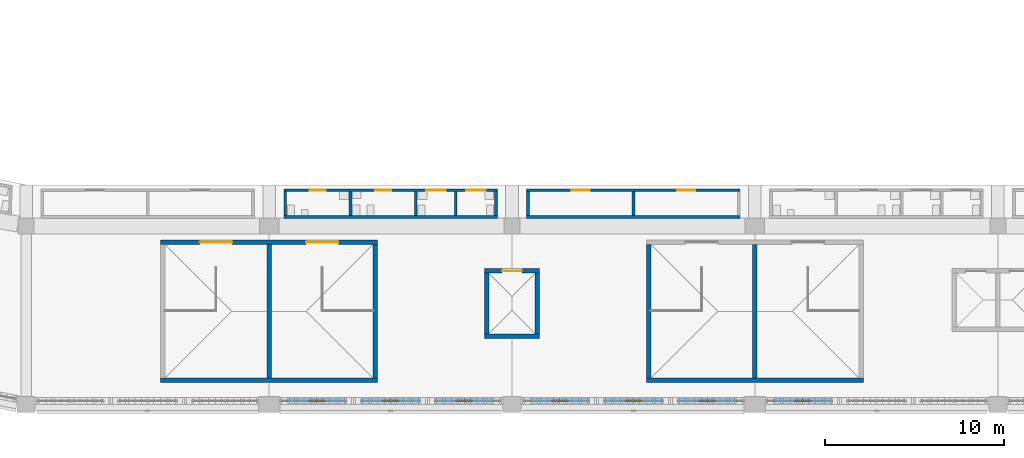
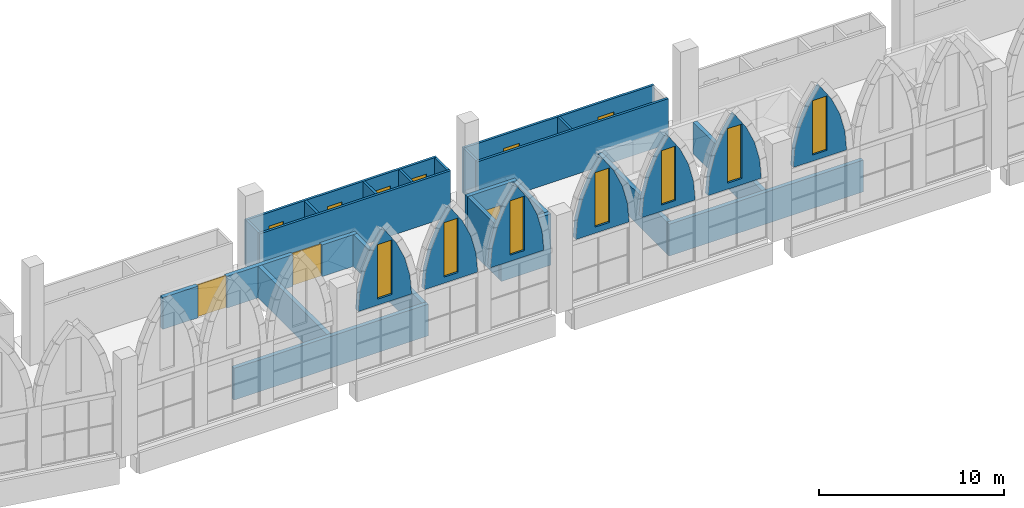
# One storey, part 67 of 130: 29 walls, 9 doors, 7 windows, 16 openings.
"""IFC4 building model written with IfcOpenShell, lengths in metres."""

from ifc_helpers import new_model, si_unit, direction, frame, frame_2d, origin, place, context, subcontext, project, spatial, polyline, rectangle, outline, extrude, material, layer, layer_set, type_object, element, fill, save


model = new_model("IFC4")

# Units and contexts
model_context = context("Model", 3, precision=1e-05, world=origin(), true_north=direction((0.0, 1.0)))
body_context = subcontext(model_context, "Body", "Model", "MODEL_VIEW")
ifc_project = project(units=[si_unit("LENGTHUNIT", "METRE"), si_unit("AREAUNIT", "SQUARE_METRE"), si_unit("VOLUMEUNIT", "CUBIC_METRE"), si_unit("PLANEANGLEUNIT", "RADIAN"), si_unit("MASSUNIT", "GRAM", prefix="KILO")], contexts=[model_context])

# Site, building, storey
site_placement = place(None, origin())
site = spatial("IfcSite", under=ifc_project, at=site_placement, CompositionType="ELEMENT")
building_placement = place(site_placement, origin())
building = spatial("IfcBuilding", under=site, at=building_placement, Name="Ogive Plaza Stadium", CompositionType="ELEMENT")
storey_placement = place(building_placement, frame((0.0, 0.0, 22.5)))
storey = spatial("IfcBuildingStorey", under=building, at=storey_placement, Name="L05", CompositionType="ELEMENT", Elevation=22.5)

# Wall, openings, doors
ifc_material_1 = material(Name="Masonry blockwork", Category="masonry")
ifc_layer_1 = layer(ifc_material_1, 0.14990234375)
ifc_layer_set_1 = layer_set([ifc_layer_1], Name="Blockwork wall 150")
wall_type_1 = type_object("IfcWallType", Name="Blockwork wall 150", PredefinedType="SOLIDWALL", material=ifc_layer_set_1)
wall_1_placement = place(storey_placement, frame((5.97509765625, -90.5, 0.0), z_axis=(0.0, 0.0, 1.0), x_axis=(-1.0, 0.0, 0.0)))
wall_1 = element("IfcWall", 1, at=wall_1_placement, inside=storey, type_object=wall_type_1, Name="Wall L05 B14", PredefinedType="SOLIDWALL", context=body_context, shape_type="SweptSolid", body=[
    extrude(rectangle(XDim=11.9501953125, YDim=0.14990234375, at=frame_2d((5.97509765625, 0.0))), origin(), (0.0, 0.0, 1.0), 3.0),
])
opening_1_placement = place(wall_1_placement, frame((2.52490234375, 0.0, 0.0)))
opening_1 = element("IfcOpeningElement", 2, at=opening_1_placement, cuts=wall_1, Name="Opening D0957", PredefinedType="OPENING", context=body_context, shape_type="SweptSolid", body=[
    extrude(rectangle(XDim=1.0, YDim=2.10009765625, at=frame_2d((0.5, 1.050048828125))), frame((0.0, 0.074951171875, 0.0), z_axis=(0.0, -1.0, 0.0), x_axis=(1.0, 0.0, 0.0)), (0.0, 0.0, 1.0), 0.14990234375),
])
opening_2_placement = place(wall_1_placement, frame((8.425048828125, 0.0, 0.0)))
opening_2 = element("IfcOpeningElement", 3, at=opening_2_placement, cuts=wall_1, Name="Opening D0958", PredefinedType="OPENING", context=body_context, shape_type="SweptSolid", body=[
    extrude(rectangle(XDim=1.0, YDim=2.10009765625, at=frame_2d((0.5, 1.050048828125))), frame((0.0, 0.074951171875, 0.0), z_axis=(0.0, -1.0, 0.0), x_axis=(1.0, 0.0, 0.0)), (0.0, 0.0, 1.0), 0.14990234375),
])
ifc_material_2 = material(Name="Steel ASTM A572 Grade 50", Category="steel")
door_type_1 = type_object("IfcDoorType", Name="Door 1000 x 2100", OperationType="SINGLE_SWING_LEFT", PredefinedType="DOOR", material=ifc_material_2)
door_1_placement = place(opening_1_placement, origin())
door_1 = element("IfcDoor", 4, at=door_1_placement, inside=storey, type_object=door_type_1, Name="Concession Stand B14 door", OperationType="SINGLE_SWING_LEFT", OverallHeight=2.10009765625, OverallWidth=1.0, PredefinedType="DOOR", context=body_context, shape_type="SweptSolid", body=[
    extrude(rectangle(XDim=1.0, YDim=2.10009765625, at=frame_2d((0.5, 1.050048828125))), frame((0.0, 0.02490234375, 0.0), z_axis=(0.0, -1.0, 0.0), x_axis=(1.0, 0.0, 0.0)), (0.0, 0.0, 1.0), 0.050048828125),
])
fill(opening_1, door_1)
door_2_placement = place(opening_2_placement, origin())
door_2 = element("IfcDoor", 5, at=door_2_placement, inside=storey, type_object=door_type_1, Name="Concession Stand B14 door", OperationType="SINGLE_SWING_RIGHT", OverallHeight=2.10009765625, OverallWidth=1.0, PredefinedType="DOOR", context=body_context, shape_type="SweptSolid", body=[
    extrude(rectangle(XDim=1.0, YDim=2.10009765625, at=frame_2d((0.5, 1.050048828125))), frame((0.0, 0.02490234375, 0.0), z_axis=(0.0, -1.0, 0.0), x_axis=(1.0, 0.0, 0.0)), (0.0, 0.0, 1.0), 0.050048828125),
])
fill(opening_2, door_2)

# Walls
wall_2_placement = place(storey_placement, frame((5.97509765625, -92.0, 0.0), z_axis=(0.0, 0.0, 1.0), x_axis=(-1.0, 0.0, 0.0)))
element("IfcWall", 6, at=wall_2_placement, inside=storey, type_object=wall_type_1, Name="Wall L05 B14", PredefinedType="SOLIDWALL", context=body_context, shape_type="SweptSolid", body=[
    extrude(rectangle(XDim=11.9501953125, YDim=0.14990234375, at=frame_2d((5.97509765625, 0.0))), origin(), (0.0, 0.0, 1.0), 3.0),
])
for number, where, z_axis, x_axis, name in (
    (7, (0.0, -90.574951171875, 0.0), (0.0, 0.0, 1.0), (0.0, -1.0, 0.0), "Wall L05 B14"),
    (8, (-5.89990234375, -90.574951171875, 0.0), (0.0, 0.0, 1.0), (0.0, -1.0, 0.0), "Wall L05 B14"),
):
    element("IfcWall", number, at=place(storey_placement, frame(where, z_axis=z_axis, x_axis=x_axis)), inside=storey, type_object=wall_type_1, Name=name, PredefinedType="SOLIDWALL", context=body_context, shape_type="SweptSolid", body=[
        extrude(rectangle(XDim=1.35009765625, YDim=0.14990234375, at=frame_2d((0.675048828125, 0.0))), origin(), (0.0, 0.0, 1.0), 3.0),
    ])
ifc_material_3 = material(Name="Concrete C40/50", Category="concrete")
ifc_layer_2 = layer(ifc_material_3, 0.25)
ifc_layer_set_2 = layer_set([ifc_layer_2], Name="Concrete C40/50")
wall_type_2 = type_object("IfcWallType", Name="Core wall 250", PredefinedType="SHEAR", material=ifc_layer_set_2)
wall_3_placement = place(storey_placement, frame((0.72509765625, -101.135009765625, 0.0), z_axis=(0.0, 0.0, 1.0), x_axis=(1.0, 0.0, 0.0)))
element("IfcWall", 9, at=wall_3_placement, inside=storey, type_object=wall_type_2, Name="Stair core R14 outer wall", PredefinedType="SHEAR", context=body_context, shape_type="SweptSolid", body=[
    extrude(rectangle(XDim=12.14990234375, YDim=0.25, at=frame_2d((6.074951171875, 0.0))), origin(), (0.0, 0.0, 1.0), 2.10009765625),
])
for number, where, z_axis, x_axis, name in (
    (10, (0.85009765625, -93.550048828125, 0.0), (0.0, 0.0, 1.0), (0.0, -1.0, 0.0), "Stair core R14 side wall"),
    (11, (6.800048828125, -93.550048828125, 0.0), (0.0, 0.0, 1.0), (0.0, -1.0, 0.0), "Stair core R14 centre wall"),
):
    element("IfcWall", number, at=place(storey_placement, frame(where, z_axis=z_axis, x_axis=x_axis)), inside=storey, type_object=wall_type_2, Name=name, PredefinedType="SHEAR", context=body_context, shape_type="SweptSolid", body=[
        extrude(rectangle(XDim=7.4599609375, YDim=0.25, at=frame_2d((3.72998046875, 0.0))), origin(), (0.0, 0.0, 1.0), 2.10009765625),
    ])

# Wall, openings, doors
wall_4_placement = place(storey_placement, frame((-26.47509765625, -93.425048828125, 0.0), z_axis=(0.0, 0.0, 1.0), x_axis=(1.0, 0.0, 0.0)))
wall_4 = element("IfcWall", 12, at=wall_4_placement, inside=storey, type_object=wall_type_2, Name="Stair core R16 inner wall", PredefinedType="SHEAR", context=body_context, shape_type="SweptSolid", body=[
    extrude(rectangle(XDim=12.150146484375, YDim=0.25, at=frame_2d((6.0751953125, 0.0))), origin(), (0.0, 0.0, 1.0), 2.10009765625),
])
opening_3_placement = place(wall_4_placement, frame((2.199951171875, 0.0, 0.0)))
opening_3 = element("IfcOpeningElement", 13, at=opening_3_placement, cuts=wall_4, Name="Opening D0143", PredefinedType="OPENING", context=body_context, shape_type="SweptSolid", body=[
    extrude(rectangle(XDim=1.800048828125, YDim=2.10009765625, at=frame_2d((0.89990234375, 1.050048828125))), frame((0.0, 0.125, 0.0), z_axis=(0.0, -1.0, 0.0), x_axis=(1.0, 0.0, 0.0)), (0.0, 0.0, 1.0), 0.25),
])
opening_4_placement = place(wall_4_placement, frame((8.14990234375, 0.0, 0.0)))
opening_4 = element("IfcOpeningElement", 14, at=opening_4_placement, cuts=wall_4, Name="Opening D0144", PredefinedType="OPENING", context=body_context, shape_type="SweptSolid", body=[
    extrude(rectangle(XDim=1.800048828125, YDim=2.10009765625, at=frame_2d((0.89990234375, 1.050048828125))), frame((0.0, 0.125, 0.0), z_axis=(0.0, -1.0, 0.0), x_axis=(1.0, 0.0, 0.0)), (0.0, 0.0, 1.0), 0.25),
])
ifc_material_4 = material(Name="Steel ASTM A572 Grade 50", Category="steel")
door_type_2 = type_object("IfcDoorType", Name="Fire door FD90 pair 1800 x 2100", OperationType="DOUBLE_DOOR_SINGLE_SWING", PredefinedType="DOOR", material=ifc_material_4)
door_3_placement = place(opening_3_placement, origin())
door_3 = element("IfcDoor", 15, at=door_3_placement, inside=storey, type_object=door_type_2, Name="Exit stair R16A door L05", OperationType="DOUBLE_DOOR_SINGLE_SWING", OverallHeight=2.10009765625, OverallWidth=1.800048828125, PredefinedType="DOOR", context=body_context, shape_type="SweptSolid", body=[
    extrude(rectangle(XDim=1.800048828125, YDim=2.10009765625, at=frame_2d((0.89990234375, 1.050048828125))), frame((0.0, 0.02490234375, 0.0), z_axis=(0.0, -1.0, 0.0), x_axis=(1.0, 0.0, 0.0)), (0.0, 0.0, 1.0), 0.050048828125),
])
fill(opening_3, door_3)
door_4_placement = place(opening_4_placement, origin())
door_4 = element("IfcDoor", 16, at=door_4_placement, inside=storey, type_object=door_type_2, Name="Exit stair R16B door L05", OperationType="DOUBLE_DOOR_SINGLE_SWING", OverallHeight=2.10009765625, OverallWidth=1.800048828125, PredefinedType="DOOR", context=body_context, shape_type="SweptSolid", body=[
    extrude(rectangle(XDim=1.800048828125, YDim=2.10009765625, at=frame_2d((0.89990234375, 1.050048828125))), frame((0.0, 0.02490234375, 0.0), z_axis=(0.0, -1.0, 0.0), x_axis=(1.0, 0.0, 0.0)), (0.0, 0.0, 1.0), 0.050048828125),
])
fill(opening_4, door_4)

# Walls
wall_5_placement = place(storey_placement, frame((-26.47509765625, -101.135009765625, 0.0), z_axis=(0.0, 0.0, 1.0), x_axis=(1.0, 0.0, 0.0)))
element("IfcWall", 17, at=wall_5_placement, inside=storey, type_object=wall_type_2, Name="Stair core R16 outer wall", PredefinedType="SHEAR", context=body_context, shape_type="SweptSolid", body=[
    extrude(rectangle(XDim=12.150146484375, YDim=0.25, at=frame_2d((6.0751953125, 0.0))), origin(), (0.0, 0.0, 1.0), 2.10009765625),
])
for number, where, z_axis, x_axis, name in (
    (18, (-14.449951171875, -93.550048828125, 0.0), (0.0, 0.0, 1.0), (0.0, -1.0, 0.0), "Stair core R16 side wall"),
    (19, (-20.39990234375, -93.550048828125, 0.0), (0.0, 0.0, 1.0), (0.0, -1.0, 0.0), "Stair core R16 centre wall"),
):
    element("IfcWall", number, at=place(storey_placement, frame(where, z_axis=z_axis, x_axis=x_axis)), inside=storey, type_object=wall_type_2, Name=name, PredefinedType="SHEAR", context=body_context, shape_type="SweptSolid", body=[
        extrude(rectangle(XDim=7.4599609375, YDim=0.25, at=frame_2d((3.72998046875, 0.0))), origin(), (0.0, 0.0, 1.0), 2.10009765625),
    ])

# Wall, opening, door
ifc_material_5 = material(Name="Concrete C40/50", Category="concrete")
ifc_layer_3 = layer(ifc_material_5, 0.25)
ifc_layer_set_3 = layer_set([ifc_layer_3], Name="Concrete C40/50")
wall_type_3 = type_object("IfcWallType", Name="Core wall 250 A", PredefinedType="SHEAR", material=ifc_layer_set_3)
wall_6_placement = place(storey_placement, frame((-8.35009765625, -95.02490234375, 0.0), z_axis=(0.0, 0.0, 1.0), x_axis=(1.0, 0.0, 0.0)))
wall_6 = element("IfcWall", 20, at=wall_6_placement, inside=storey, type_object=wall_type_3, Name="Lift core LS15 landing wall", PredefinedType="SHEAR", context=body_context, shape_type="SweptSolid", body=[
    extrude(rectangle(XDim=3.10009765625, YDim=0.25, at=frame_2d((1.550048828125, 0.0))), origin(), (0.0, 0.0, 1.0), 3.39990234375),
])
opening_5_placement = place(wall_6_placement, frame((1.0, 0.0, 0.0)))
opening_5 = element("IfcOpeningElement", 21, at=opening_5_placement, cuts=wall_6, Name="Opening LD041", PredefinedType="OPENING", context=body_context, shape_type="SweptSolid", body=[
    extrude(rectangle(XDim=1.10009765625, YDim=2.10009765625, at=frame_2d((0.550048828125, 1.050048828125))), frame((0.0, 0.125, 0.0), z_axis=(0.0, -1.0, 0.0), x_axis=(1.0, 0.0, 0.0)), (0.0, 0.0, 1.0), 0.25),
])
ifc_material_6 = material(Name="Steel ASTM A572 Grade 50", Category="steel")
door_type_3 = type_object("IfcDoorType", Name="Landing door 1100 x 2100", OperationType="SLIDING_TO_LEFT", PredefinedType="DOOR", material=ifc_material_6)
door_5_placement = place(opening_5_placement, origin())
door_5 = element("IfcDoor", 22, at=door_5_placement, inside=storey, type_object=door_type_3, Name="Lift landing door LS15 L05", OperationType="SLIDING_TO_LEFT", OverallHeight=2.10009765625, OverallWidth=1.10009765625, PredefinedType="DOOR", context=body_context, shape_type="SweptSolid", body=[
    extrude(rectangle(XDim=1.10009765625, YDim=2.10009765625, at=frame_2d((0.550048828125, 1.050048828125))), frame((0.0, 0.02490234375, 0.0), z_axis=(0.0, -1.0, 0.0), x_axis=(1.0, 0.0, 0.0)), (0.0, 0.0, 1.0), 0.050048828125),
])
fill(opening_5, door_5)

# Walls
wall_7_placement = place(storey_placement, frame((-8.35009765625, -98.675048828125, 0.0), z_axis=(0.0, 0.0, 1.0), x_axis=(1.0, 0.0, 0.0)))
element("IfcWall", 23, at=wall_7_placement, inside=storey, type_object=wall_type_3, Name="Lift core LS15 rear wall", PredefinedType="SHEAR", context=body_context, shape_type="SweptSolid", body=[
    extrude(rectangle(XDim=3.10009765625, YDim=0.25, at=frame_2d((1.550048828125, 0.0))), origin(), (0.0, 0.0, 1.0), 3.39990234375),
])
for number, where, z_axis, x_axis, name in (
    (24, (-8.22509765625, -95.14990234375, 0.0), (0.0, 0.0, 1.0), (0.0, -1.0, 0.0), "Lift core LS15 side wall"),
    (25, (-5.375, -95.14990234375, 0.0), (0.0, 0.0, 1.0), (0.0, -1.0, 0.0), "Lift core LS15 side wall"),
):
    element("IfcWall", number, at=place(storey_placement, frame(where, z_axis=z_axis, x_axis=x_axis)), inside=storey, type_object=wall_type_3, Name=name, PredefinedType="SHEAR", context=body_context, shape_type="SweptSolid", body=[
        extrude(rectangle(XDim=3.400146484375, YDim=0.25, at=frame_2d((1.7001953125, 0.0))), origin(), (0.0, 0.0, 1.0), 3.39990234375),
    ])

# Wall, openings, doors
ifc_material_7 = material(Name="Gypsum board partition", Category="gypsum")
ifc_layer_4 = layer(ifc_material_7, 0.14990234375)
ifc_layer_set_4 = layer_set([ifc_layer_4], Name="Partition 150")
wall_type_4 = type_object("IfcWallType", Name="Partition 150", PredefinedType="PARTITIONING", material=ifc_layer_set_4)
wall_8_placement = place(storey_placement, frame((-19.574951171875, -90.5, 0.0), z_axis=(0.0, 0.0, 1.0), x_axis=(1.0, 0.0, 0.0)))
wall_8 = element("IfcWall", 26, at=wall_8_placement, inside=storey, type_object=wall_type_4, Name="Wall L05 B15", PredefinedType="PARTITIONING", context=body_context, shape_type="SweptSolid", body=[
    extrude(rectangle(XDim=11.949951171875, YDim=0.14990234375, at=frame_2d((5.97509765625, 0.0))), origin(), (0.0, 0.0, 1.0), 3.0),
])
opening_6_placement = place(wall_8_placement, frame((1.4541015625, 0.0, 0.0)))
opening_6 = element("IfcOpeningElement", 27, at=opening_6_placement, cuts=wall_8, Name="Opening D0959", PredefinedType="OPENING", context=body_context, shape_type="SweptSolid", body=[
    extrude(rectangle(XDim=0.89990234375, YDim=2.10009765625, at=frame_2d((0.449951171875, 1.050048828125))), frame((0.0, 0.074951171875, 0.0), z_axis=(0.0, -1.0, 0.0), x_axis=(1.0, 0.0, 0.0)), (0.0, 0.0, 1.0), 0.14990234375),
])
opening_7_placement = place(wall_8_placement, frame((5.112060546875, 0.0, 0.0)))
opening_7 = element("IfcOpeningElement", 28, at=opening_7_placement, cuts=wall_8, Name="Opening D0960", PredefinedType="OPENING", context=body_context, shape_type="SweptSolid", body=[
    extrude(rectangle(XDim=0.89990234375, YDim=2.10009765625, at=frame_2d((0.449951171875, 1.050048828125))), frame((0.0, 0.074951171875, 0.0), z_axis=(0.0, -1.0, 0.0), x_axis=(1.0, 0.0, 0.0)), (0.0, 0.0, 1.0), 0.14990234375),
])
opening_8_placement = place(wall_8_placement, frame((7.9619140625, 0.0, 0.0)))
opening_8 = element("IfcOpeningElement", 29, at=opening_8_placement, cuts=wall_8, Name="Opening D0961", PredefinedType="OPENING", context=body_context, shape_type="SweptSolid", body=[
    extrude(rectangle(XDim=1.10009765625, YDim=2.10009765625, at=frame_2d((0.550048828125, 1.050048828125))), frame((0.0, 0.074951171875, 0.0), z_axis=(0.0, -1.0, 0.0), x_axis=(1.0, 0.0, 0.0)), (0.0, 0.0, 1.0), 0.14990234375),
])
opening_9_placement = place(wall_8_placement, frame((10.2041015625, 0.0, 0.0)))
opening_9 = element("IfcOpeningElement", 30, at=opening_9_placement, cuts=wall_8, Name="Opening D0962", PredefinedType="OPENING", context=body_context, shape_type="SweptSolid", body=[
    extrude(rectangle(XDim=1.10009765625, YDim=2.10009765625, at=frame_2d((0.550048828125, 1.050048828125))), frame((0.0, 0.074951171875, 0.0), z_axis=(0.0, -1.0, 0.0), x_axis=(1.0, 0.0, 0.0)), (0.0, 0.0, 1.0), 0.14990234375),
])
ifc_material_8 = material(Name="Steel ASTM A572 Grade 50", Category="steel")
door_type_4 = type_object("IfcDoorType", Name="Accessible door 1100 x 2100", OperationType="SINGLE_SWING_LEFT", PredefinedType="DOOR", material=ifc_material_8)
door_6_placement = place(opening_8_placement, origin())
door_6 = element("IfcDoor", 31, at=door_6_placement, inside=storey, type_object=door_type_4, Name="Accessible WC B15 door", OperationType="SINGLE_SWING_RIGHT", OverallHeight=2.10009765625, OverallWidth=1.10009765625, PredefinedType="DOOR", context=body_context, shape_type="SweptSolid", body=[
    extrude(rectangle(XDim=1.10009765625, YDim=2.10009765625, at=frame_2d((0.550048828125, 1.050048828125))), frame((0.0, 0.02490234375, 0.0), z_axis=(0.0, -1.0, 0.0), x_axis=(1.0, 0.0, 0.0)), (0.0, 0.0, 1.0), 0.050048828125),
])
fill(opening_8, door_6)
door_7_placement = place(opening_9_placement, origin())
door_7 = element("IfcDoor", 32, at=door_7_placement, inside=storey, type_object=door_type_4, Name="Family WC B15 door", OperationType="SINGLE_SWING_LEFT", OverallHeight=2.10009765625, OverallWidth=1.10009765625, PredefinedType="DOOR", context=body_context, shape_type="SweptSolid", body=[
    extrude(rectangle(XDim=1.10009765625, YDim=2.10009765625, at=frame_2d((0.550048828125, 1.050048828125))), frame((0.0, 0.02490234375, 0.0), z_axis=(0.0, -1.0, 0.0), x_axis=(1.0, 0.0, 0.0)), (0.0, 0.0, 1.0), 0.050048828125),
])
fill(opening_9, door_7)
ifc_material_9 = material(Name="Steel ASTM A572 Grade 50", Category="steel")
door_type_5 = type_object("IfcDoorType", Name="Door 900 x 2100", OperationType="SINGLE_SWING_LEFT", PredefinedType="DOOR", material=ifc_material_9)
door_8_placement = place(opening_6_placement, origin())
door_8 = element("IfcDoor", 33, at=door_8_placement, inside=storey, type_object=door_type_5, Name="Men's Toilet B15 door", OperationType="SINGLE_SWING_RIGHT", OverallHeight=2.10009765625, OverallWidth=0.89990234375, PredefinedType="DOOR", context=body_context, shape_type="SweptSolid", body=[
    extrude(rectangle(XDim=0.89990234375, YDim=2.10009765625, at=frame_2d((0.449951171875, 1.050048828125))), frame((0.0, 0.02490234375, 0.0), z_axis=(0.0, -1.0, 0.0), x_axis=(1.0, 0.0, 0.0)), (0.0, 0.0, 1.0), 0.050048828125),
])
fill(opening_6, door_8)
door_9_placement = place(opening_7_placement, origin())
door_9 = element("IfcDoor", 34, at=door_9_placement, inside=storey, type_object=door_type_5, Name="Women's Toilet B15 door", OperationType="SINGLE_SWING_LEFT", OverallHeight=2.10009765625, OverallWidth=0.89990234375, PredefinedType="DOOR", context=body_context, shape_type="SweptSolid", body=[
    extrude(rectangle(XDim=0.89990234375, YDim=2.10009765625, at=frame_2d((0.449951171875, 1.050048828125))), frame((0.0, 0.02490234375, 0.0), z_axis=(0.0, -1.0, 0.0), x_axis=(1.0, 0.0, 0.0)), (0.0, 0.0, 1.0), 0.050048828125),
])
fill(opening_7, door_9)

# Walls
wall_9_placement = place(storey_placement, frame((-19.574951171875, -92.0, 0.0), z_axis=(0.0, 0.0, 1.0), x_axis=(1.0, 0.0, 0.0)))
element("IfcWall", 35, at=wall_9_placement, inside=storey, type_object=wall_type_4, Name="Wall L05 B15", PredefinedType="PARTITIONING", context=body_context, shape_type="SweptSolid", body=[
    extrude(rectangle(XDim=11.949951171875, YDim=0.14990234375, at=frame_2d((5.97509765625, 0.0))), origin(), (0.0, 0.0, 1.0), 3.0),
])
for number, where, z_axis, x_axis, name in (
    (36, (-19.5, -90.574951171875, 0.0), (0.0, 0.0, 1.0), (0.0, -1.0, 0.0), "Wall L05 B15"),
    (37, (-15.842041015625, -90.574951171875, 0.0), (0.0, 0.0, 1.0), (0.0, -1.0, 0.0), "Wall L05 B15"),
    (38, (-12.18408203125, -90.574951171875, 0.0), (0.0, 0.0, 1.0), (0.0, -1.0, 0.0), "Wall L05 B15"),
    (39, (-9.94189453125, -90.574951171875, 0.0), (0.0, 0.0, 1.0), (0.0, -1.0, 0.0), "Wall L05 B15"),
    (40, (-7.699951171875, -90.574951171875, 0.0), (0.0, 0.0, 1.0), (0.0, -1.0, 0.0), "Wall L05 B15"),
):
    element("IfcWall", number, at=place(storey_placement, frame(where, z_axis=z_axis, x_axis=x_axis)), inside=storey, type_object=wall_type_4, Name=name, PredefinedType="PARTITIONING", context=body_context, shape_type="SweptSolid", body=[
        extrude(rectangle(XDim=1.35009765625, YDim=0.14990234375, at=frame_2d((0.675048828125, 0.0))), origin(), (0.0, 0.0, 1.0), 3.0),
    ])

# Wall, opening, window
ifc_material_10 = material(Name="Concrete C45/55 precast", Category="concrete")
ifc_layer_5 = layer(ifc_material_10, 0.25)
ifc_material_11 = material(Name="Cast stone (reconstituted limestone)", Category="masonry")
ifc_layer_6 = layer(ifc_material_11, 0.050048828125)
ifc_layer_set_5 = layer_set([ifc_layer_5, ifc_layer_6], Name="Concrete C45/55 precast, cast stone facing")
wall_type_5 = type_object("IfcWallType", Name="Tympanum wall 300", PredefinedType="SOLIDWALL", material=ifc_layer_set_5)
wall_10_placement = place(storey_placement, frame((11.13330078125, -102.300048828125, 4.10009765625), z_axis=(0.0, 0.0, 1.0), x_axis=(-1.0, 0.0, 0.0)))
wall_10 = element("IfcWall", 41, at=wall_10_placement, inside=storey, type_object=wall_type_5, Name="TYMPANUM B13 3", PredefinedType="SOLIDWALL", context=body_context, shape_type="SweptSolid", body=[
    extrude(outline(polyline([(0.0, 0.0), (3.333251953125, 0.0), (3.333251953125, 0.0498046875), (3.225341796875, 1.2880859375), (2.90478515625, 2.54052734375), (2.38037109375, 3.721923828125), (1.666748046875, 4.7998046875), (0.952880859375, 3.721923828125), (0.428466796875, 2.54052734375), (0.10791015625, 1.2880859375), (0.0, 0.0498046875), (0.0, 0.0)])), frame((0.0, 0.14990234375, 0.0), z_axis=(0.0, -1.0, 0.0), x_axis=(1.0, 0.0, 0.0)), (0.0, 0.0, 1.0), 0.300048828125),
])
opening_10_placement = place(wall_10_placement, frame((1.216552734375, 0.0, 0.39990234375)))
opening_10 = element("IfcOpeningElement", 42, at=opening_10_placement, cuts=wall_10, Name="Opening W-13-3", PredefinedType="OPENING", context=body_context, shape_type="SweptSolid", body=[
    extrude(rectangle(XDim=0.89990234375, YDim=3.60009765625, at=frame_2d((0.449951171875, 1.800048828125))), frame((0.0, 0.16015625, 0.0), z_axis=(0.0, -1.0, 0.0), x_axis=(1.0, 0.0, 0.0)), (0.0, 0.0, 1.0), 0.320068359375),
])
ifc_material_12 = material(Name="Bronze-anodised aluminium and laminated glass", Category="aluminium")
window_type = type_object("IfcWindowType", Name="Lancet window 900 x 3600", PartitioningType="SINGLE_PANEL", PredefinedType="WINDOW", material=ifc_material_12)
window_1_placement = place(opening_10_placement, origin())
window_1 = element("IfcWindow", 43, at=window_1_placement, inside=storey, type_object=window_type, Name="LANCET WINDOW B13 3", OverallHeight=3.60009765625, OverallWidth=0.89990234375, PartitioningType="SINGLE_PANEL", PredefinedType="WINDOW", context=body_context, shape_type="SweptSolid", body=[
    extrude(rectangle(XDim=0.89990234375, YDim=3.60009765625, at=frame_2d((0.449951171875, 1.800048828125))), frame((0.0, 0.030029296875, 0.0), z_axis=(0.0, -1.0, 0.0), x_axis=(1.0, 0.0, 0.0)), (0.0, 0.0, 1.0), 0.06005859375),
])
fill(opening_10, window_1)

wall_11_placement = place(storey_placement, frame((5.800048828125, -102.300048828125, 4.10009765625), z_axis=(0.0, 0.0, 1.0), x_axis=(-1.0, 0.0, 0.0)))
wall_11 = element("IfcWall", 44, at=wall_11_placement, inside=storey, type_object=wall_type_5, Name="TYMPANUM B14 1", PredefinedType="SOLIDWALL", context=body_context, shape_type="SweptSolid", body=[
    extrude(outline(polyline([(0.0, 0.0), (3.33349609375, 0.0), (3.333251953125, 0.0498046875), (3.225341796875, 1.2880859375), (2.90478515625, 2.54052734375), (2.38037109375, 3.721923828125), (1.666748046875, 4.7998046875), (0.952880859375, 3.721923828125), (0.428466796875, 2.54052734375), (0.10791015625, 1.2880859375), (0.0, 0.0498046875), (0.0, 0.0)])), frame((0.0, 0.14990234375, 0.0), z_axis=(0.0, -1.0, 0.0), x_axis=(1.0, 0.0, 0.0)), (0.0, 0.0, 1.0), 0.300048828125),
])
opening_11_placement = place(wall_11_placement, frame((1.216552734375, 0.0, 0.39990234375)))
opening_11 = element("IfcOpeningElement", 45, at=opening_11_placement, cuts=wall_11, Name="Opening W-14-1", PredefinedType="OPENING", context=body_context, shape_type="SweptSolid", body=[
    extrude(rectangle(XDim=0.89990234375, YDim=3.60009765625, at=frame_2d((0.449951171875, 1.800048828125))), frame((0.0, 0.16015625, 0.0), z_axis=(0.0, -1.0, 0.0), x_axis=(1.0, 0.0, 0.0)), (0.0, 0.0, 1.0), 0.320068359375),
])
window_2_placement = place(opening_11_placement, origin())
window_2 = element("IfcWindow", 46, at=window_2_placement, inside=storey, type_object=window_type, Name="LANCET WINDOW B14 1", OverallHeight=3.60009765625, OverallWidth=0.89990234375, PartitioningType="SINGLE_PANEL", PredefinedType="WINDOW", context=body_context, shape_type="SweptSolid", body=[
    extrude(rectangle(XDim=0.89990234375, YDim=3.60009765625, at=frame_2d((0.449951171875, 1.800048828125))), frame((0.0, 0.030029296875, 0.0), z_axis=(0.0, -1.0, 0.0), x_axis=(1.0, 0.0, 0.0)), (0.0, 0.0, 1.0), 0.06005859375),
])
fill(opening_11, window_2)

wall_12_placement = place(storey_placement, frame((1.666748046875, -102.300048828125, 4.10009765625), z_axis=(0.0, 0.0, 1.0), x_axis=(-1.0, 0.0, 0.0)))
wall_12 = element("IfcWall", 47, at=wall_12_placement, inside=storey, type_object=wall_type_5, Name="TYMPANUM B14 2", PredefinedType="SOLIDWALL", context=body_context, shape_type="SweptSolid", body=[
    extrude(outline(polyline([(0.0, 0.0), (3.33349609375, 0.0), (3.333251953125, 0.0498046875), (3.225341796875, 1.2880859375), (2.90478515625, 2.54052734375), (2.38037109375, 3.721923828125), (1.666748046875, 4.7998046875), (0.952880859375, 3.721923828125), (0.428466796875, 2.54052734375), (0.10791015625, 1.2880859375), (0.0, 0.0498046875), (0.0, 0.0)])), frame((0.0, 0.14990234375, 0.0), z_axis=(0.0, -1.0, 0.0), x_axis=(1.0, 0.0, 0.0)), (0.0, 0.0, 1.0), 0.300048828125),
])
opening_12_placement = place(wall_12_placement, frame((1.216552734375, 0.0, 0.39990234375)))
opening_12 = element("IfcOpeningElement", 48, at=opening_12_placement, cuts=wall_12, Name="Opening W-14-2", PredefinedType="OPENING", context=body_context, shape_type="SweptSolid", body=[
    extrude(rectangle(XDim=0.89990234375, YDim=3.60009765625, at=frame_2d((0.449951171875, 1.800048828125))), frame((0.0, 0.16015625, 0.0), z_axis=(0.0, -1.0, 0.0), x_axis=(1.0, 0.0, 0.0)), (0.0, 0.0, 1.0), 0.320068359375),
])
window_3_placement = place(opening_12_placement, origin())
window_3 = element("IfcWindow", 49, at=window_3_placement, inside=storey, type_object=window_type, Name="LANCET WINDOW B14 2", OverallHeight=3.60009765625, OverallWidth=0.89990234375, PartitioningType="SINGLE_PANEL", PredefinedType="WINDOW", context=body_context, shape_type="SweptSolid", body=[
    extrude(rectangle(XDim=0.89990234375, YDim=3.60009765625, at=frame_2d((0.449951171875, 1.800048828125))), frame((0.0, 0.030029296875, 0.0), z_axis=(0.0, -1.0, 0.0), x_axis=(1.0, 0.0, 0.0)), (0.0, 0.0, 1.0), 0.06005859375),
])
fill(opening_12, window_3)

wall_13_placement = place(storey_placement, frame((-2.466552734375, -102.300048828125, 4.10009765625), z_axis=(0.0, 0.0, 1.0), x_axis=(-1.0, 0.0, 0.0)))
wall_13 = element("IfcWall", 50, at=wall_13_placement, inside=storey, type_object=wall_type_5, Name="TYMPANUM B14 3", PredefinedType="SOLIDWALL", context=body_context, shape_type="SweptSolid", body=[
    extrude(outline(polyline([(0.0, 0.0), (3.33349609375, 0.0), (3.333251953125, 0.0498046875), (3.225341796875, 1.2880859375), (2.90478515625, 2.54052734375), (2.38037109375, 3.721923828125), (1.666748046875, 4.7998046875), (0.952880859375, 3.721923828125), (0.428466796875, 2.54052734375), (0.10791015625, 1.2880859375), (0.0, 0.0498046875), (0.0, 0.0)])), frame((0.0, 0.14990234375, 0.0), z_axis=(0.0, -1.0, 0.0), x_axis=(1.0, 0.0, 0.0)), (0.0, 0.0, 1.0), 0.300048828125),
])
opening_13_placement = place(wall_13_placement, frame((1.216552734375, 0.0, 0.39990234375)))
opening_13 = element("IfcOpeningElement", 51, at=opening_13_placement, cuts=wall_13, Name="Opening W-14-3", PredefinedType="OPENING", context=body_context, shape_type="SweptSolid", body=[
    extrude(rectangle(XDim=0.89990234375, YDim=3.60009765625, at=frame_2d((0.449951171875, 1.800048828125))), frame((0.0, 0.16015625, 0.0), z_axis=(0.0, -1.0, 0.0), x_axis=(1.0, 0.0, 0.0)), (0.0, 0.0, 1.0), 0.320068359375),
])
window_4_placement = place(opening_13_placement, origin())
window_4 = element("IfcWindow", 52, at=window_4_placement, inside=storey, type_object=window_type, Name="LANCET WINDOW B14 3", OverallHeight=3.60009765625, OverallWidth=0.89990234375, PartitioningType="SINGLE_PANEL", PredefinedType="WINDOW", context=body_context, shape_type="SweptSolid", body=[
    extrude(rectangle(XDim=0.89990234375, YDim=3.60009765625, at=frame_2d((0.449951171875, 1.800048828125))), frame((0.0, 0.030029296875, 0.0), z_axis=(0.0, -1.0, 0.0), x_axis=(1.0, 0.0, 0.0)), (0.0, 0.0, 1.0), 0.06005859375),
])
fill(opening_13, window_4)

wall_14_placement = place(storey_placement, frame((-7.800048828125, -102.300048828125, 4.10009765625), z_axis=(0.0, 0.0, 1.0), x_axis=(-1.0, 0.0, 0.0)))
wall_14 = element("IfcWall", 53, at=wall_14_placement, inside=storey, type_object=wall_type_5, Name="TYMPANUM B15 1", PredefinedType="SOLIDWALL", context=body_context, shape_type="SweptSolid", body=[
    extrude(outline(polyline([(0.0, 0.0), (3.333251953125, 0.0), (3.333251953125, 0.0498046875), (3.225341796875, 1.2880859375), (2.90478515625, 2.54052734375), (2.38037109375, 3.721923828125), (1.666748046875, 4.7998046875), (0.952880859375, 3.721923828125), (0.428466796875, 2.54052734375), (0.10791015625, 1.2880859375), (0.0, 0.0498046875), (0.0, 0.0)])), frame((0.0, 0.14990234375, 0.0), z_axis=(0.0, -1.0, 0.0), x_axis=(1.0, 0.0, 0.0)), (0.0, 0.0, 1.0), 0.300048828125),
])
opening_14_placement = place(wall_14_placement, frame((1.216552734375, 0.0, 0.39990234375)))
opening_14 = element("IfcOpeningElement", 54, at=opening_14_placement, cuts=wall_14, Name="Opening W-15-1", PredefinedType="OPENING", context=body_context, shape_type="SweptSolid", body=[
    extrude(rectangle(XDim=0.89990234375, YDim=3.60009765625, at=frame_2d((0.449951171875, 1.800048828125))), frame((0.0, 0.16015625, 0.0), z_axis=(0.0, -1.0, 0.0), x_axis=(1.0, 0.0, 0.0)), (0.0, 0.0, 1.0), 0.320068359375),
])
window_5_placement = place(opening_14_placement, origin())
window_5 = element("IfcWindow", 55, at=window_5_placement, inside=storey, type_object=window_type, Name="LANCET WINDOW B15 1", OverallHeight=3.60009765625, OverallWidth=0.89990234375, PartitioningType="SINGLE_PANEL", PredefinedType="WINDOW", context=body_context, shape_type="SweptSolid", body=[
    extrude(rectangle(XDim=0.89990234375, YDim=3.60009765625, at=frame_2d((0.449951171875, 1.800048828125))), frame((0.0, 0.030029296875, 0.0), z_axis=(0.0, -1.0, 0.0), x_axis=(1.0, 0.0, 0.0)), (0.0, 0.0, 1.0), 0.06005859375),
])
fill(opening_14, window_5)

wall_15_placement = place(storey_placement, frame((-11.933349609375, -102.300048828125, 4.10009765625), z_axis=(0.0, 0.0, 1.0), x_axis=(-1.0, 0.0, 0.0)))
wall_15 = element("IfcWall", 56, at=wall_15_placement, inside=storey, type_object=wall_type_5, Name="TYMPANUM B15 2", PredefinedType="SOLIDWALL", context=body_context, shape_type="SweptSolid", body=[
    extrude(outline(polyline([(0.0, 0.0), (3.333251953125, 0.0), (3.333251953125, 0.0498046875), (3.225341796875, 1.2880859375), (2.90478515625, 2.54052734375), (2.38037109375, 3.721923828125), (1.666748046875, 4.7998046875), (0.952880859375, 3.721923828125), (0.428466796875, 2.54052734375), (0.10791015625, 1.2880859375), (0.0, 0.0498046875), (0.0, 0.0)])), frame((0.0, 0.14990234375, 0.0), z_axis=(0.0, -1.0, 0.0), x_axis=(1.0, 0.0, 0.0)), (0.0, 0.0, 1.0), 0.300048828125),
])
opening_15_placement = place(wall_15_placement, frame((1.216552734375, 0.0, 0.39990234375)))
opening_15 = element("IfcOpeningElement", 57, at=opening_15_placement, cuts=wall_15, Name="Opening W-15-2", PredefinedType="OPENING", context=body_context, shape_type="SweptSolid", body=[
    extrude(rectangle(XDim=0.89990234375, YDim=3.60009765625, at=frame_2d((0.449951171875, 1.800048828125))), frame((0.0, 0.16015625, 0.0), z_axis=(0.0, -1.0, 0.0), x_axis=(1.0, 0.0, 0.0)), (0.0, 0.0, 1.0), 0.320068359375),
])
window_6_placement = place(opening_15_placement, origin())
window_6 = element("IfcWindow", 58, at=window_6_placement, inside=storey, type_object=window_type, Name="LANCET WINDOW B15 2", OverallHeight=3.60009765625, OverallWidth=0.89990234375, PartitioningType="SINGLE_PANEL", PredefinedType="WINDOW", context=body_context, shape_type="SweptSolid", body=[
    extrude(rectangle(XDim=0.89990234375, YDim=3.60009765625, at=frame_2d((0.449951171875, 1.800048828125))), frame((0.0, 0.030029296875, 0.0), z_axis=(0.0, -1.0, 0.0), x_axis=(1.0, 0.0, 0.0)), (0.0, 0.0, 1.0), 0.06005859375),
])
fill(opening_15, window_6)

wall_16_placement = place(storey_placement, frame((-16.066650390625, -102.300048828125, 4.10009765625), z_axis=(0.0, 0.0, 1.0), x_axis=(-1.0, 0.0, 0.0)))
wall_16 = element("IfcWall", 59, at=wall_16_placement, inside=storey, type_object=wall_type_5, Name="TYMPANUM B15 3", PredefinedType="SOLIDWALL", context=body_context, shape_type="SweptSolid", body=[
    extrude(outline(polyline([(0.0, 0.0), (3.333251953125, 0.0), (3.333251953125, 0.0498046875), (3.225341796875, 1.2880859375), (2.90478515625, 2.54052734375), (2.38037109375, 3.721923828125), (1.666748046875, 4.7998046875), (0.952880859375, 3.721923828125), (0.428466796875, 2.54052734375), (0.10791015625, 1.2880859375), (0.0, 0.0498046875), (0.0, 0.0)])), frame((0.0, 0.14990234375, 0.0), z_axis=(0.0, -1.0, 0.0), x_axis=(1.0, 0.0, 0.0)), (0.0, 0.0, 1.0), 0.300048828125),
])
opening_16_placement = place(wall_16_placement, frame((1.216552734375, 0.0, 0.39990234375)))
opening_16 = element("IfcOpeningElement", 60, at=opening_16_placement, cuts=wall_16, Name="Opening W-15-3", PredefinedType="OPENING", context=body_context, shape_type="SweptSolid", body=[
    extrude(rectangle(XDim=0.89990234375, YDim=3.60009765625, at=frame_2d((0.449951171875, 1.800048828125))), frame((0.0, 0.16015625, 0.0), z_axis=(0.0, -1.0, 0.0), x_axis=(1.0, 0.0, 0.0)), (0.0, 0.0, 1.0), 0.320068359375),
])
window_7_placement = place(opening_16_placement, origin())
window_7 = element("IfcWindow", 61, at=window_7_placement, inside=storey, type_object=window_type, Name="LANCET WINDOW B15 3", OverallHeight=3.60009765625, OverallWidth=0.89990234375, PartitioningType="SINGLE_PANEL", PredefinedType="WINDOW", context=body_context, shape_type="SweptSolid", body=[
    extrude(rectangle(XDim=0.89990234375, YDim=3.60009765625, at=frame_2d((0.449951171875, 1.800048828125))), frame((0.0, 0.030029296875, 0.0), z_axis=(0.0, -1.0, 0.0), x_axis=(1.0, 0.0, 0.0)), (0.0, 0.0, 1.0), 0.06005859375),
])
fill(opening_16, window_7)

save(model, "model.ifc")
